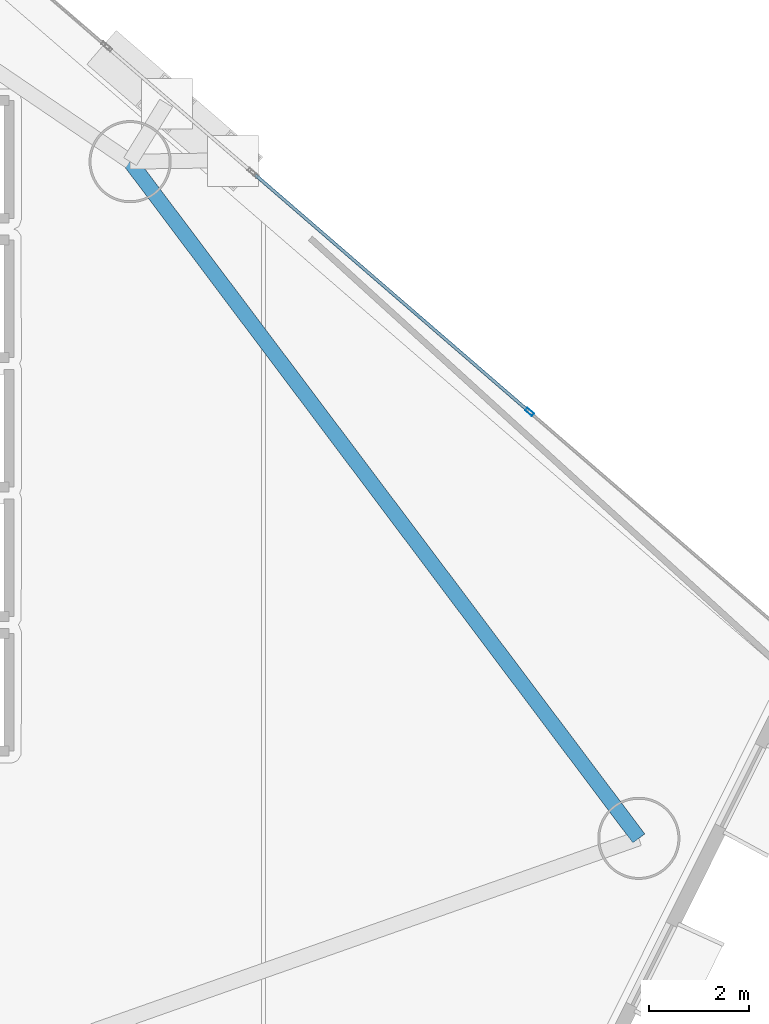
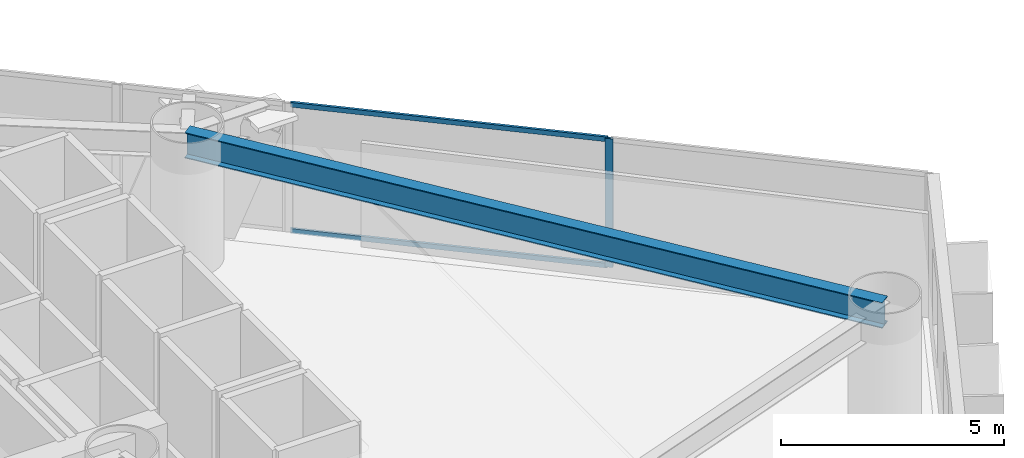
# One storey, part 14 of 23: 3 members, 1 beam, 1 element without a shape of its own.
"""IFC4 building model written with IfcOpenShell, lengths in metres."""

from ifc_helpers import new_model, si_unit, direction, frame, origin, origin_2d, place, context, subcontext, project, spatial, hollow_rectangle, i_section, extrude, material, layer, layer_set, material_profile, profile_set, type_object, element, aggregate, save


model = new_model("IFC4")

# Units and contexts
model_context = context("Model", 3, precision=1e-05, world=origin(), true_north=direction((0.0, 1.0)))
body_context = subcontext(model_context, "Body", "Model", "MODEL_VIEW")
ifc_project = project(units=[si_unit("LENGTHUNIT", "METRE"), si_unit("AREAUNIT", "SQUARE_METRE"), si_unit("VOLUMEUNIT", "CUBIC_METRE"), si_unit("PLANEANGLEUNIT", "RADIAN"), si_unit("MASSUNIT", "GRAM", prefix="KILO")], contexts=[model_context])

# Site, building, storey
site_placement = place(None, origin())
site = spatial("IfcSite", under=ifc_project, at=site_placement, CompositionType="ELEMENT")
building_placement = place(site_placement, origin())
building = spatial("IfcBuilding", under=site, at=building_placement, Name="Qianvela Tower", CompositionType="ELEMENT")
storey_placement = place(building_placement, frame((0.0, 0.0, 74.699951171875)))
storey = spatial("IfcBuildingStorey", under=building, at=storey_placement, Name="L18", CompositionType="ELEMENT", Elevation=74.699951171875)

# Beam
ifc_material_1 = material(Name="Steel Q355B", Category="steel")
ifc_material_profile_1 = material_profile(ifc_material_1, i_section(OverallWidth=0.300048828125, OverallDepth=0.699951171875, WebThickness=0.012939453125, FlangeThickness=0.02392578125, at=origin_2d()), Name="HN700x300x13x24")
ifc_profile_set_1 = profile_set([ifc_material_profile_1], Name="Steel Q355B")
beam_type = type_object("IfcBeamType", Name="BM-HN700-SPAND", PredefinedType="SPANDREL", material=ifc_profile_set_1)
beam_placement = place(storey_placement, frame((56.198974609375, 20.468017578125, 3.16796875), z_axis=(-0.600881979864, 0.799337754816, 0.0), x_axis=(-0.799337754816, -0.600881979864, 0.0)))
element("IfcBeam", 1, at=beam_placement, inside=storey, type_object=beam_type, Name="L18 Perimeter Ring Spandrel Girder 1", PredefinedType="SPANDREL", context=body_context, shape_type="SweptSolid", body=[
    extrude(i_section(OverallWidth=0.300048828125, OverallDepth=0.699951171875, WebThickness=0.012939453125, FlangeThickness=0.02392578125, at=origin_2d()), origin(), (0.0, 0.0, 1.0), 17.000244140625),
])

# Curtain wall, members
ifc_material_2 = material(Name="Anodised Architectural Aluminium and Low-E Glass", Category="aluminium")
ifc_layer = layer(ifc_material_2, 0.179931640625)
ifc_layer_set = layer_set([ifc_layer], Name="Anodised Architectural Aluminium and Low-E Glass")
curtain_wall_type = type_object("IfcCurtainWallType", Name="CW-COLIV-Z12", PredefinedType="USERDEFINED", material=ifc_layer_set)
curtain_wall_placement = place(storey_placement, origin())
curtain_wall = element("IfcCurtainWall", 2, at=curtain_wall_placement, inside=storey, type_object=curtain_wall_type, Name="L18 CW-COLIV-Z12 Curtain Wall 02A", ObjectType="CURTAIN_WALL_SYSTEM", PredefinedType="USERDEFINED")
ifc_material_3 = material(Name="Anodised Architectural Aluminium 6063-T6", Category="aluminium")
ifc_material_profile_2 = material_profile(ifc_material_3, hollow_rectangle(XDim=0.070068359375, YDim=0.179931640625, WallThickness=0.0048828125, at=origin_2d()), Name="ALU-MULL-70x180")
ifc_profile_set_2 = profile_set([ifc_material_profile_2], Name="Anodised Architectural Aluminium 6063-T6")
member_type_1 = type_object("IfcMemberType", Name="CW-COLIV-Z12-MULL", PredefinedType="MULLION", material=ifc_profile_set_2)
member_1_placement = place(storey_placement, frame((54.00439453125, 29.03076171875, 0.0), z_axis=(0.0, 0.0, 1.0), x_axis=(-0.65385201426, -0.756622457669, 0.0)))
member_1 = element("IfcMember", 3, at=member_1_placement, type_object=member_type_1, Name="CW-3 mullion 2", PredefinedType="MULLION", context=body_context, shape_type="SweptSolid", body=[
    extrude(hollow_rectangle(XDim=0.070068359375, YDim=0.179931640625, WallThickness=0.0048828125, at=origin_2d()), origin(), (0.0, 0.0, 1.0), 3.52001953125),
])
ifc_material_4 = material(Name="Anodised Architectural Aluminium 6063-T6", Category="aluminium")
ifc_material_profile_3 = material_profile(ifc_material_4, hollow_rectangle(XDim=0.06494140625, YDim=0.1298828125, WallThickness=0.00439453125, at=origin_2d()), Name="ALU-TRAN-65x130")
ifc_profile_set_3 = profile_set([ifc_material_profile_3], Name="Anodised Architectural Aluminium 6063-T6")
member_type_2 = type_object("IfcMemberType", Name="CW-COLIV-Z12-TRAN", PredefinedType="USERDEFINED", material=ifc_profile_set_3)
member_2_placement = place(storey_placement, frame((53.97802734375, 29.0537109375, 0.032470703125), z_axis=(-0.756627353316, 0.653846349086, 0.0), x_axis=(-0.653846349086, -0.756627353316, 0.0)))
member_2 = element("IfcMember", 4, at=member_2_placement, type_object=member_type_2, Name="CW-3 transom 2.1", ObjectType="TRANSOM", PredefinedType="USERDEFINED", context=body_context, shape_type="SweptSolid", body=[
    extrude(hollow_rectangle(XDim=0.06494140625, YDim=0.1298828125, WallThickness=0.00439453125, at=origin_2d()), origin(), (0.0, 0.0, 1.0), 7.239990234375),
])
member_3_placement = place(storey_placement, frame((53.97802734375, 29.0537109375, 3.487548828125), z_axis=(-0.756627353316, 0.653846349086, 0.0), x_axis=(-0.653846349086, -0.756627353316, 0.0)))
member_3 = element("IfcMember", 5, at=member_3_placement, type_object=member_type_2, Name="CW-3 transom 2.2", ObjectType="TRANSOM", PredefinedType="USERDEFINED", context=body_context, shape_type="SweptSolid", body=[
    extrude(hollow_rectangle(XDim=0.06494140625, YDim=0.1298828125, WallThickness=0.00439453125, at=origin_2d()), origin(), (0.0, 0.0, 1.0), 7.239990234375),
])
aggregate(curtain_wall, [member_1, member_2, member_3])

save(model, "model.ifc")
